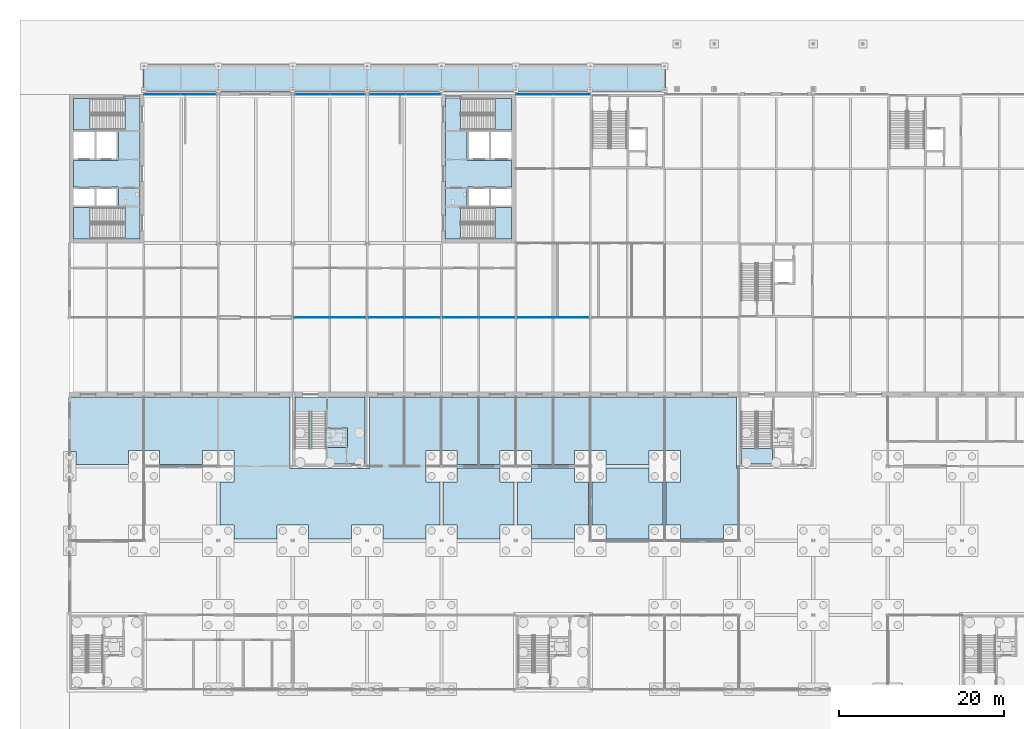
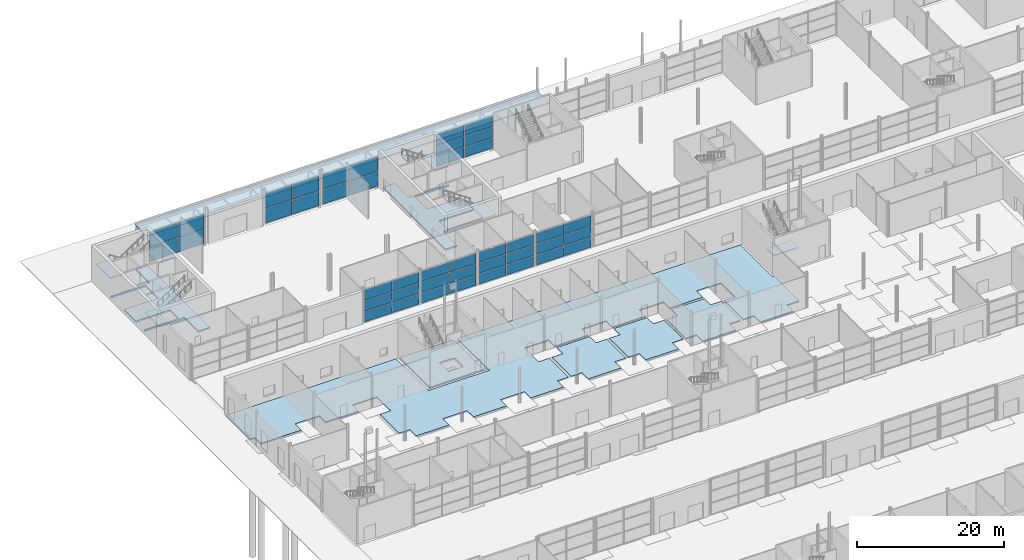
# One storey, part 56 of 97: 42 plates, 14 slabs, 13 elements without a shape of their own.
"""IFC4 building model written with IfcOpenShell, lengths in metres."""

from ifc_helpers import new_model, si_unit, direction, frame, origin, origin_2d, place, context, subcontext, project, spatial, polyline, rectangle, outline, extrude, material, layer, layer_set, type_object, element, aggregate, save


model = new_model("IFC4")

# Units and contexts
model_context = context("Model", 3, precision=1e-05, world=origin(), true_north=direction((0.0, 1.0)))
body_context = subcontext(model_context, "Body", "Model", "MODEL_VIEW")
ifc_project = project(units=[si_unit("LENGTHUNIT", "METRE"), si_unit("AREAUNIT", "SQUARE_METRE"), si_unit("VOLUMEUNIT", "CUBIC_METRE"), si_unit("PLANEANGLEUNIT", "RADIAN"), si_unit("MASSUNIT", "GRAM", prefix="KILO")], contexts=[model_context])

# Site, building, storey
site_placement = place(None, origin())
site = spatial("IfcSite", under=ifc_project, at=site_placement, CompositionType="ELEMENT")
building_placement = place(site_placement, origin())
building = spatial("IfcBuilding", under=site, at=building_placement, Name="Corbel Yard City Hall", CompositionType="ELEMENT")
storey_placement = place(building_placement, origin())
storey = spatial("IfcBuildingStorey", under=building, at=storey_placement, Name="L00", CompositionType="ELEMENT", Elevation=0.0)

# Slabs
ifc_material_1 = material(Name="Concrete N40 (40 MPa)", Category="concrete")
ifc_layer_1 = layer(ifc_material_1, 0.14990234375)
ifc_layer_set_1 = layer_set([ifc_layer_1], Name="Concrete N40 (40 MPa)")
slab_type_1 = type_object("IfcSlabType", Name="Awning Roof Slab", PredefinedType="ROOF", material=ifc_layer_set_1)
slab_1_placement = place(storey_placement, frame((8.89990234375, 117.300048828125, 4.219970703125), z_axis=(0.0, 0.012501797186, 0.99992184948), x_axis=(1.0, 0.0, 0.0)))
element("IfcSlab", 1, at=slab_1_placement, inside=storey, type_object=slab_type_1, Name="Awning Roof Slab", PredefinedType="ROOF", context=body_context, shape_type="SweptSolid", body=[
    extrude(outline(polyline([(0.0, 0.0), (63.2001953125, 0.0), (63.2001953125, 3.3003067488142093), (0.0, 3.3003067488142093), (0.0, 0.0)])), origin(), (0.0, 0.0, -1.0), 0.14990234375),
])
ifc_layer_2 = layer(ifc_material_1, 0.25)
ifc_layer_set_2 = layer_set([ifc_layer_2], Name="Concrete N40 (40 MPa)")
slab_type_2 = type_object("IfcSlabType", Name="CF1", PredefinedType="FLOOR", material=ifc_layer_set_2)
slab_2_placement = place(storey_placement, frame((0.0, 0.0, -0.25)))
element("IfcSlab", 2, at=slab_2_placement, inside=storey, type_object=slab_type_2, Name="Core floor slab", PredefinedType="FLOOR", context=body_context, shape_type="SweptSolid", body=[
    extrude(outline(polyline([(27.25, 72.25), (35.75, 72.25), (35.75, 80.39990234375), (27.25, 80.39990234375), (27.25, 72.25)]), holes=[polyline([(33.64990234375, 76.64990234375), (31.300048828125, 76.64990234375), (31.300048828125, 74.25), (33.64990234375, 74.25), (33.64990234375, 76.64990234375)])]), origin(), (0.0, 0.0, 1.0), 0.25),
])
slab_3_placement = place(storey_placement, frame((0.0, 0.0, -0.25)))
element("IfcSlab", 3, at=slab_3_placement, inside=storey, type_object=slab_type_2, Name="Core floor slab", PredefinedType="FLOOR", context=body_context, shape_type="SweptSolid", body=[
    extrude(outline(polyline([(8.5, 116.5), (6.698974609375, 116.5), (6.698974609375, 112.699951171875), (0.5, 112.699951171875), (0.5, 112.449951171875), (5.89990234375, 112.449951171875), (5.89990234375, 109.0), (0.5, 109.0), (0.5, 105.800048828125), (5.89990234375, 105.800048828125), (5.89990234375, 103.550048828125), (0.5, 103.550048828125), (0.5, 103.300048828125), (6.698974609375, 103.300048828125), (6.698974609375, 99.5), (8.5, 99.5), (8.5, 116.5)])), origin(), (0.0, 0.0, 1.0), 0.25),
])
slab_4_placement = place(storey_placement, frame((0.0, 0.0, -0.25)))
element("IfcSlab", 4, at=slab_4_placement, inside=storey, type_object=slab_type_2, Name="Core floor slab", PredefinedType="FLOOR", context=body_context, shape_type="SweptSolid", body=[
    extrude(outline(polyline([(53.5, 103.300048828125), (53.5, 103.550048828125), (48.10009765625, 103.550048828125), (48.10009765625, 105.800048828125), (53.5, 105.800048828125), (53.5, 109.0), (48.10009765625, 109.0), (48.10009765625, 112.449951171875), (53.5, 112.449951171875), (53.5, 112.699951171875), (47.301025390625, 112.699951171875), (47.301025390625, 116.5), (45.5, 116.5), (45.5, 99.5), (47.301025390625, 99.5), (47.301025390625, 103.300048828125), (53.5, 103.300048828125)])), origin(), (0.0, 0.0, 1.0), 0.25),
])
ifc_layer_3 = layer(ifc_material_1, 0.300048828125)
ifc_layer_set_3 = layer_set([ifc_layer_3], Name="Concrete N40 (40 MPa)")
slab_type_3 = type_object("IfcSlabType", Name="CF2", PredefinedType="BASESLAB", material=ifc_layer_set_3)
slab_5_placement = place(storey_placement, frame((0.0, 0.0, -1.699951171875)))
element("IfcSlab", 5, at=slab_5_placement, inside=storey, type_object=slab_type_3, Name="Lift LP13 pit slab", PredefinedType="BASESLAB", context=body_context, shape_type="SweptSolid", body=[
    extrude(outline(polyline([(31.050048828125, 74.25), (33.64990234375, 74.25), (33.64990234375, 76.64990234375), (31.050048828125, 76.64990234375), (31.050048828125, 74.25)])), origin(), (0.0, 0.0, 1.0), 0.300048828125),
])
ifc_layer_4 = layer(ifc_material_1, 0.199951171875)
ifc_layer_set_4 = layer_set([ifc_layer_4], Name="Concrete N40 (40 MPa)")
slab_type_4 = type_object("IfcSlabType", Name="Ground slab 200", PredefinedType="BASESLAB", material=ifc_layer_set_4)
slab_6_placement = place(storey_placement, frame((0.0, 0.0, -0.199951171875)))
element("IfcSlab", 6, at=slab_6_placement, inside=storey, type_object=slab_type_4, Name="Ground slab on grade Citizens' Service Centre block", PredefinedType="BASESLAB", context=body_context, shape_type="SweptSolid", body=[
    extrude(outline(polyline([(79.10009765625, 64.89990234375), (81.0, 64.89990234375), (81.0, 71.699951171875), (80.699951171875, 71.699951171875), (80.699951171875, 80.39990234375), (36.300048828125, 80.39990234375), (36.300048828125, 71.699951171875), (26.699951171875, 71.699951171875), (26.699951171875, 80.39990234375), (0.0, 80.39990234375), (0.0, 73.800048828125), (0.75, 73.800048828125), (0.75, 72.199951171875), (7.10009765625, 72.199951171875), (7.10009765625, 73.89990234375), (10.89990234375, 73.89990234375), (10.89990234375, 72.199951171875), (16.10009765625, 72.199951171875), (16.10009765625, 73.89990234375), (19.89990234375, 73.89990234375), (19.89990234375, 70.10009765625), (18.199951171875, 70.10009765625), (18.199951171875, 64.89990234375), (19.89990234375, 64.89990234375), (19.89990234375, 63.199951171875), (25.10009765625, 63.199951171875), (25.10009765625, 64.89990234375), (28.89990234375, 64.89990234375), (28.89990234375, 63.199951171875), (34.10009765625, 63.199951171875), (34.10009765625, 64.89990234375), (37.89990234375, 64.89990234375), (37.89990234375, 63.199951171875), (43.10009765625, 63.199951171875), (43.10009765625, 64.89990234375), (44.800048828125, 64.89990234375), (44.800048828125, 70.10009765625), (43.10009765625, 70.10009765625), (43.10009765625, 73.89990234375), (46.89990234375, 73.89990234375), (46.89990234375, 72.199951171875), (52.10009765625, 72.199951171875), (52.10009765625, 73.89990234375), (55.89990234375, 73.89990234375), (55.89990234375, 72.199951171875), (61.10009765625, 72.199951171875), (61.10009765625, 73.89990234375), (64.89990234375, 73.89990234375), (64.89990234375, 72.199951171875), (70.10009765625, 72.199951171875), (70.10009765625, 73.89990234375), (73.89990234375, 73.89990234375), (73.89990234375, 70.10009765625), (72.199951171875, 70.10009765625), (72.199951171875, 64.89990234375), (73.89990234375, 64.89990234375), (73.89990234375, 63.199951171875), (79.10009765625, 63.199951171875), (79.10009765625, 64.89990234375)])), origin(), (0.0, 0.0, 1.0), 0.199951171875),
])
slab_7_placement = place(storey_placement, frame((0.0, 0.0, -0.199951171875)))
element("IfcSlab", 7, at=slab_7_placement, inside=storey, type_object=slab_type_4, Name="Ground slab on grade Citizens' Service Centre block", PredefinedType="BASESLAB", context=body_context, shape_type="SweptSolid", body=[
    extrude(outline(polyline([(46.89990234375, 70.10009765625), (45.199951171875, 70.10009765625), (45.199951171875, 64.89990234375), (46.89990234375, 64.89990234375), (46.89990234375, 63.199951171875), (52.10009765625, 63.199951171875), (52.10009765625, 64.89990234375), (53.800048828125, 64.89990234375), (53.800048828125, 70.10009765625), (52.10009765625, 70.10009765625), (52.10009765625, 71.800048828125), (46.89990234375, 71.800048828125), (46.89990234375, 70.10009765625)])), origin(), (0.0, 0.0, 1.0), 0.199951171875),
])
slab_8_placement = place(storey_placement, frame((0.0, 0.0, -0.199951171875)))
element("IfcSlab", 8, at=slab_8_placement, inside=storey, type_object=slab_type_4, Name="Ground slab on grade Citizens' Service Centre block", PredefinedType="BASESLAB", context=body_context, shape_type="SweptSolid", body=[
    extrude(outline(polyline([(62.800048828125, 64.89990234375), (62.800048828125, 70.10009765625), (61.10009765625, 70.10009765625), (61.10009765625, 71.800048828125), (55.89990234375, 71.800048828125), (55.89990234375, 70.10009765625), (54.199951171875, 70.10009765625), (54.199951171875, 64.89990234375), (55.89990234375, 64.89990234375), (55.89990234375, 63.199951171875), (61.10009765625, 63.199951171875), (61.10009765625, 64.89990234375), (62.800048828125, 64.89990234375)])), origin(), (0.0, 0.0, 1.0), 0.199951171875),
])
slab_9_placement = place(storey_placement, frame((0.0, 0.0, -0.199951171875)))
element("IfcSlab", 9, at=slab_9_placement, inside=storey, type_object=slab_type_4, Name="Ground slab on grade Citizens' Service Centre block", PredefinedType="BASESLAB", context=body_context, shape_type="SweptSolid", body=[
    extrude(outline(polyline([(64.89990234375, 71.800048828125), (64.89990234375, 70.10009765625), (63.199951171875, 70.10009765625), (63.199951171875, 64.89990234375), (64.89990234375, 64.89990234375), (64.89990234375, 63.199951171875), (70.10009765625, 63.199951171875), (70.10009765625, 64.89990234375), (71.800048828125, 64.89990234375), (71.800048828125, 70.10009765625), (70.10009765625, 70.10009765625), (70.10009765625, 71.800048828125), (64.89990234375, 71.800048828125)])), origin(), (0.0, 0.0, 1.0), 0.199951171875),
])

# Stair, slab
stair_type_1 = type_object("IfcStairType", Name="ST2", PredefinedType="HALF_TURN_STAIR", material=ifc_material_1)
stair_1_placement = place(storey_placement, origin())
stair_1 = element("IfcStair", 10, at=stair_1_placement, inside=storey, type_object=stair_type_1, Name="Exit stair L00", PredefinedType="HALF_TURN_STAIR")
ifc_layer_5 = layer(ifc_material_1, 0.199951171875)
ifc_layer_set_5 = layer_set([ifc_layer_5], Name="Concrete N40 (40 MPa)")
slab_type_5 = type_object("IfcSlabType", Name="LN1", PredefinedType="LANDING", material=ifc_layer_set_5)
slab_10_placement = place(storey_placement, frame((0.0, 0.0, 2.800048828125)))
slab_10 = element("IfcSlab", 11, at=slab_10_placement, type_object=slab_type_5, Name="PS14 landing 1", PredefinedType="LANDING", context=body_context, shape_type="SweptSolid", body=[
    extrude(outline(polyline([(81.25, 72.25), (85.050048828125, 72.25), (85.050048828125, 74.1201171875), (81.25, 74.1201171875), (81.25, 72.25)])), origin(), (0.0, 0.0, 1.0), 0.199951171875),
])
aggregate(stair_1, [slab_10])

stair_type_2 = type_object("IfcStairType", Name="ST6", PredefinedType="HALF_TURN_STAIR", material=ifc_material_1)
stair_2_placement = place(storey_placement, origin())
stair_2 = element("IfcStair", 12, at=stair_2_placement, inside=storey, type_object=stair_type_2, Name="Exit stair ST-W1 L00", PredefinedType="HALF_TURN_STAIR")
slab_11_placement = place(storey_placement, frame((0.0, 0.0, 2.800048828125)))
slab_11 = element("IfcSlab", 13, at=slab_11_placement, type_object=slab_type_5, Name="ST-W1 landing 1", PredefinedType="LANDING", context=body_context, shape_type="SweptSolid", body=[
    extrude(outline(polyline([(0.5, 99.5), (2.5, 99.5), (2.5, 103.300048828125), (0.5, 103.300048828125), (0.5, 99.5)])), origin(), (0.0, 0.0, 1.0), 0.199951171875),
])
aggregate(stair_2, [slab_11])

stair_3_placement = place(storey_placement, origin())
stair_3 = element("IfcStair", 14, at=stair_3_placement, inside=storey, type_object=stair_type_2, Name="Exit stair ST-W2 L00", PredefinedType="HALF_TURN_STAIR")
slab_12_placement = place(storey_placement, frame((0.0, 0.0, 2.800048828125)))
slab_12 = element("IfcSlab", 15, at=slab_12_placement, type_object=slab_type_5, Name="ST-W2 landing 1", PredefinedType="LANDING", context=body_context, shape_type="SweptSolid", body=[
    extrude(outline(polyline([(0.5, 112.699951171875), (2.5, 112.699951171875), (2.5, 116.5), (0.5, 116.5), (0.5, 112.699951171875)])), origin(), (0.0, 0.0, 1.0), 0.199951171875),
])
aggregate(stair_3, [slab_12])

stair_4_placement = place(storey_placement, origin())
stair_4 = element("IfcStair", 16, at=stair_4_placement, inside=storey, type_object=stair_type_2, Name="Exit stair ST-E1 L00", PredefinedType="HALF_TURN_STAIR")
slab_13_placement = place(storey_placement, frame((0.0, 0.0, 2.800048828125)))
slab_13 = element("IfcSlab", 17, at=slab_13_placement, type_object=slab_type_5, Name="ST-E1 landing 1", PredefinedType="LANDING", context=body_context, shape_type="SweptSolid", body=[
    extrude(outline(polyline([(51.5, 99.5), (53.5, 99.5), (53.5, 103.300048828125), (51.5, 103.300048828125), (51.5, 99.5)])), origin(), (0.0, 0.0, 1.0), 0.199951171875),
])
aggregate(stair_4, [slab_13])

stair_5_placement = place(storey_placement, origin())
stair_5 = element("IfcStair", 18, at=stair_5_placement, inside=storey, type_object=stair_type_2, Name="Exit stair ST-E2 L00", PredefinedType="HALF_TURN_STAIR")
slab_14_placement = place(storey_placement, frame((0.0, 0.0, 2.800048828125)))
slab_14 = element("IfcSlab", 19, at=slab_14_placement, type_object=slab_type_5, Name="ST-E2 landing 1", PredefinedType="LANDING", context=body_context, shape_type="SweptSolid", body=[
    extrude(outline(polyline([(51.5, 112.699951171875), (53.5, 112.699951171875), (53.5, 116.5), (51.5, 116.5), (51.5, 112.699951171875)])), origin(), (0.0, 0.0, 1.0), 0.199951171875),
])
aggregate(stair_5, [slab_14])

# Curtain wall, plates
ifc_material_2 = material(Name="Aluminium extrusion", Category="aluminium")
ifc_layer_6 = layer(ifc_material_2, 0.25)
ifc_layer_set_6 = layer_set([ifc_layer_6], Name="Aluminium extrusion")
curtain_wall_type = type_object("IfcCurtainWallType", Name="CW4", PredefinedType="USERDEFINED", material=ifc_layer_set_6)
curtain_wall_1_placement = place(storey_placement, origin())
curtain_wall_1 = element("IfcCurtainWall", 20, at=curtain_wall_1_placement, inside=storey, type_object=curtain_wall_type, Name="Curtain wall CW4 L00", ObjectType="CURTAIN WALL", PredefinedType="USERDEFINED")
ifc_material_3 = material(Name="Laminated toughened storefront glass", Category="glass")
ifc_layer_7 = layer(ifc_material_3, 0.0400390625)
ifc_layer_set_7 = layer_set([ifc_layer_7], Name="Laminated toughened storefront glass")
plate_type = type_object("IfcPlateType", Name="PN5", PredefinedType="CURTAIN_PANEL", material=ifc_layer_set_7)
plate_1_placement = place(storey_placement, frame((29.344970703125, 90.0, 0.06494140625), z_axis=(0.0, 0.0, 1.0), x_axis=(1.0, 0.0, 0.0)))
plate_1 = element("IfcPlate", 21, at=plate_1_placement, type_object=plate_type, Name="CW4 panel 1.1", PredefinedType="CURTAIN_PANEL", context=body_context, shape_type="SweptSolid", body=[
    extrude(rectangle(XDim=4.2451171875, YDim=0.0400390625, at=origin_2d()), origin(), (0.0, 0.0, 1.0), 1.71728515625),
])
plate_2_placement = place(storey_placement, frame((29.344970703125, 90.0, 1.84716796875), z_axis=(0.0, 0.0, 1.0), x_axis=(1.0, 0.0, 0.0)))
plate_2 = element("IfcPlate", 22, at=plate_2_placement, type_object=plate_type, Name="CW4 panel 1.2", PredefinedType="CURTAIN_PANEL", context=body_context, shape_type="SweptSolid", body=[
    extrude(rectangle(XDim=4.2451171875, YDim=0.0400390625, at=origin_2d()), origin(), (0.0, 0.0, 1.0), 1.749755859375),
])
plate_3_placement = place(storey_placement, frame((29.344970703125, 90.0, 3.661865234375), z_axis=(0.0, 0.0, 1.0), x_axis=(1.0, 0.0, 0.0)))
plate_3 = element("IfcPlate", 23, at=plate_3_placement, type_object=plate_type, Name="CW4 panel 1.3", PredefinedType="CURTAIN_PANEL", context=body_context, shape_type="SweptSolid", body=[
    extrude(rectangle(XDim=4.2451171875, YDim=0.0400390625, at=origin_2d()), origin(), (0.0, 0.0, 1.0), 1.71728515625),
])
plate_4_placement = place(storey_placement, frame((33.655029296875, 90.0, 0.06494140625), z_axis=(0.0, 0.0, 1.0), x_axis=(1.0, 0.0, 0.0)))
plate_4 = element("IfcPlate", 24, at=plate_4_placement, type_object=plate_type, Name="CW4 panel 2.1", PredefinedType="CURTAIN_PANEL", context=body_context, shape_type="SweptSolid", body=[
    extrude(rectangle(XDim=4.2451171875, YDim=0.0400390625, at=origin_2d()), origin(), (0.0, 0.0, 1.0), 1.71728515625),
])
plate_5_placement = place(storey_placement, frame((33.655029296875, 90.0, 1.84716796875), z_axis=(0.0, 0.0, 1.0), x_axis=(1.0, 0.0, 0.0)))
plate_5 = element("IfcPlate", 25, at=plate_5_placement, type_object=plate_type, Name="CW4 panel 2.2", PredefinedType="CURTAIN_PANEL", context=body_context, shape_type="SweptSolid", body=[
    extrude(rectangle(XDim=4.2451171875, YDim=0.0400390625, at=origin_2d()), origin(), (0.0, 0.0, 1.0), 1.749755859375),
])
plate_6_placement = place(storey_placement, frame((33.655029296875, 90.0, 3.661865234375), z_axis=(0.0, 0.0, 1.0), x_axis=(1.0, 0.0, 0.0)))
plate_6 = element("IfcPlate", 26, at=plate_6_placement, type_object=plate_type, Name="CW4 panel 2.3", PredefinedType="CURTAIN_PANEL", context=body_context, shape_type="SweptSolid", body=[
    extrude(rectangle(XDim=4.2451171875, YDim=0.0400390625, at=origin_2d()), origin(), (0.0, 0.0, 1.0), 1.71728515625),
])
aggregate(curtain_wall_1, [plate_1, plate_2, plate_3, plate_4, plate_5, plate_6])

curtain_wall_2_placement = place(storey_placement, origin())
curtain_wall_2 = element("IfcCurtainWall", 27, at=curtain_wall_2_placement, inside=storey, type_object=curtain_wall_type, Name="Curtain wall CW4 L00", ObjectType="CURTAIN WALL", PredefinedType="USERDEFINED")
plate_7_placement = place(storey_placement, frame((38.344970703125, 90.0, 0.06494140625), z_axis=(0.0, 0.0, 1.0), x_axis=(1.0, 0.0, 0.0)))
plate_7 = element("IfcPlate", 28, at=plate_7_placement, type_object=plate_type, Name="CW4 panel 1.1", PredefinedType="CURTAIN_PANEL", context=body_context, shape_type="SweptSolid", body=[
    extrude(rectangle(XDim=4.2451171875, YDim=0.0400390625, at=origin_2d()), origin(), (0.0, 0.0, 1.0), 1.71728515625),
])
plate_8_placement = place(storey_placement, frame((38.344970703125, 90.0, 1.84716796875), z_axis=(0.0, 0.0, 1.0), x_axis=(1.0, 0.0, 0.0)))
plate_8 = element("IfcPlate", 29, at=plate_8_placement, type_object=plate_type, Name="CW4 panel 1.2", PredefinedType="CURTAIN_PANEL", context=body_context, shape_type="SweptSolid", body=[
    extrude(rectangle(XDim=4.2451171875, YDim=0.0400390625, at=origin_2d()), origin(), (0.0, 0.0, 1.0), 1.749755859375),
])
plate_9_placement = place(storey_placement, frame((38.344970703125, 90.0, 3.661865234375), z_axis=(0.0, 0.0, 1.0), x_axis=(1.0, 0.0, 0.0)))
plate_9 = element("IfcPlate", 30, at=plate_9_placement, type_object=plate_type, Name="CW4 panel 1.3", PredefinedType="CURTAIN_PANEL", context=body_context, shape_type="SweptSolid", body=[
    extrude(rectangle(XDim=4.2451171875, YDim=0.0400390625, at=origin_2d()), origin(), (0.0, 0.0, 1.0), 1.71728515625),
])
plate_10_placement = place(storey_placement, frame((42.655029296875, 90.0, 0.06494140625), z_axis=(0.0, 0.0, 1.0), x_axis=(1.0, 0.0, 0.0)))
plate_10 = element("IfcPlate", 31, at=plate_10_placement, type_object=plate_type, Name="CW4 panel 2.1", PredefinedType="CURTAIN_PANEL", context=body_context, shape_type="SweptSolid", body=[
    extrude(rectangle(XDim=4.2451171875, YDim=0.0400390625, at=origin_2d()), origin(), (0.0, 0.0, 1.0), 1.71728515625),
])
plate_11_placement = place(storey_placement, frame((42.655029296875, 90.0, 1.84716796875), z_axis=(0.0, 0.0, 1.0), x_axis=(1.0, 0.0, 0.0)))
plate_11 = element("IfcPlate", 32, at=plate_11_placement, type_object=plate_type, Name="CW4 panel 2.2", PredefinedType="CURTAIN_PANEL", context=body_context, shape_type="SweptSolid", body=[
    extrude(rectangle(XDim=4.2451171875, YDim=0.0400390625, at=origin_2d()), origin(), (0.0, 0.0, 1.0), 1.749755859375),
])
plate_12_placement = place(storey_placement, frame((42.655029296875, 90.0, 3.661865234375), z_axis=(0.0, 0.0, 1.0), x_axis=(1.0, 0.0, 0.0)))
plate_12 = element("IfcPlate", 33, at=plate_12_placement, type_object=plate_type, Name="CW4 panel 2.3", PredefinedType="CURTAIN_PANEL", context=body_context, shape_type="SweptSolid", body=[
    extrude(rectangle(XDim=4.2451171875, YDim=0.0400390625, at=origin_2d()), origin(), (0.0, 0.0, 1.0), 1.71728515625),
])
aggregate(curtain_wall_2, [plate_7, plate_8, plate_9, plate_10, plate_11, plate_12])

curtain_wall_3_placement = place(storey_placement, origin())
curtain_wall_3 = element("IfcCurtainWall", 34, at=curtain_wall_3_placement, inside=storey, type_object=curtain_wall_type, Name="Curtain wall CW4 L00", ObjectType="CURTAIN WALL", PredefinedType="USERDEFINED")
plate_13_placement = place(storey_placement, frame((47.344970703125, 90.0, 0.06494140625), z_axis=(0.0, 0.0, 1.0), x_axis=(1.0, 0.0, 0.0)))
plate_13 = element("IfcPlate", 35, at=plate_13_placement, type_object=plate_type, Name="CW4 panel 1.1", PredefinedType="CURTAIN_PANEL", context=body_context, shape_type="SweptSolid", body=[
    extrude(rectangle(XDim=4.2451171875, YDim=0.0400390625, at=origin_2d()), origin(), (0.0, 0.0, 1.0), 1.71728515625),
])
plate_14_placement = place(storey_placement, frame((47.344970703125, 90.0, 1.84716796875), z_axis=(0.0, 0.0, 1.0), x_axis=(1.0, 0.0, 0.0)))
plate_14 = element("IfcPlate", 36, at=plate_14_placement, type_object=plate_type, Name="CW4 panel 1.2", PredefinedType="CURTAIN_PANEL", context=body_context, shape_type="SweptSolid", body=[
    extrude(rectangle(XDim=4.2451171875, YDim=0.0400390625, at=origin_2d()), origin(), (0.0, 0.0, 1.0), 1.749755859375),
])
plate_15_placement = place(storey_placement, frame((47.344970703125, 90.0, 3.661865234375), z_axis=(0.0, 0.0, 1.0), x_axis=(1.0, 0.0, 0.0)))
plate_15 = element("IfcPlate", 37, at=plate_15_placement, type_object=plate_type, Name="CW4 panel 1.3", PredefinedType="CURTAIN_PANEL", context=body_context, shape_type="SweptSolid", body=[
    extrude(rectangle(XDim=4.2451171875, YDim=0.0400390625, at=origin_2d()), origin(), (0.0, 0.0, 1.0), 1.71728515625),
])
plate_16_placement = place(storey_placement, frame((51.655029296875, 90.0, 0.06494140625), z_axis=(0.0, 0.0, 1.0), x_axis=(1.0, 0.0, 0.0)))
plate_16 = element("IfcPlate", 38, at=plate_16_placement, type_object=plate_type, Name="CW4 panel 2.1", PredefinedType="CURTAIN_PANEL", context=body_context, shape_type="SweptSolid", body=[
    extrude(rectangle(XDim=4.2451171875, YDim=0.0400390625, at=origin_2d()), origin(), (0.0, 0.0, 1.0), 1.71728515625),
])
plate_17_placement = place(storey_placement, frame((51.655029296875, 90.0, 1.84716796875), z_axis=(0.0, 0.0, 1.0), x_axis=(1.0, 0.0, 0.0)))
plate_17 = element("IfcPlate", 39, at=plate_17_placement, type_object=plate_type, Name="CW4 panel 2.2", PredefinedType="CURTAIN_PANEL", context=body_context, shape_type="SweptSolid", body=[
    extrude(rectangle(XDim=4.2451171875, YDim=0.0400390625, at=origin_2d()), origin(), (0.0, 0.0, 1.0), 1.749755859375),
])
plate_18_placement = place(storey_placement, frame((51.655029296875, 90.0, 3.661865234375), z_axis=(0.0, 0.0, 1.0), x_axis=(1.0, 0.0, 0.0)))
plate_18 = element("IfcPlate", 40, at=plate_18_placement, type_object=plate_type, Name="CW4 panel 2.3", PredefinedType="CURTAIN_PANEL", context=body_context, shape_type="SweptSolid", body=[
    extrude(rectangle(XDim=4.2451171875, YDim=0.0400390625, at=origin_2d()), origin(), (0.0, 0.0, 1.0), 1.71728515625),
])
aggregate(curtain_wall_3, [plate_13, plate_14, plate_15, plate_16, plate_17, plate_18])

curtain_wall_4_placement = place(storey_placement, origin())
curtain_wall_4 = element("IfcCurtainWall", 41, at=curtain_wall_4_placement, inside=storey, type_object=curtain_wall_type, Name="Curtain wall CW4 L00", ObjectType="CURTAIN WALL", PredefinedType="USERDEFINED")
plate_19_placement = place(storey_placement, frame((56.344970703125, 90.0, 0.06494140625), z_axis=(0.0, 0.0, 1.0), x_axis=(1.0, 0.0, 0.0)))
plate_19 = element("IfcPlate", 42, at=plate_19_placement, type_object=plate_type, Name="CW4 panel 1.1", PredefinedType="CURTAIN_PANEL", context=body_context, shape_type="SweptSolid", body=[
    extrude(rectangle(XDim=4.2451171875, YDim=0.0400390625, at=origin_2d()), origin(), (0.0, 0.0, 1.0), 1.71728515625),
])
plate_20_placement = place(storey_placement, frame((56.344970703125, 90.0, 1.84716796875), z_axis=(0.0, 0.0, 1.0), x_axis=(1.0, 0.0, 0.0)))
plate_20 = element("IfcPlate", 43, at=plate_20_placement, type_object=plate_type, Name="CW4 panel 1.2", PredefinedType="CURTAIN_PANEL", context=body_context, shape_type="SweptSolid", body=[
    extrude(rectangle(XDim=4.2451171875, YDim=0.0400390625, at=origin_2d()), origin(), (0.0, 0.0, 1.0), 1.749755859375),
])
plate_21_placement = place(storey_placement, frame((56.344970703125, 90.0, 3.661865234375), z_axis=(0.0, 0.0, 1.0), x_axis=(1.0, 0.0, 0.0)))
plate_21 = element("IfcPlate", 44, at=plate_21_placement, type_object=plate_type, Name="CW4 panel 1.3", PredefinedType="CURTAIN_PANEL", context=body_context, shape_type="SweptSolid", body=[
    extrude(rectangle(XDim=4.2451171875, YDim=0.0400390625, at=origin_2d()), origin(), (0.0, 0.0, 1.0), 1.71728515625),
])
plate_22_placement = place(storey_placement, frame((60.655029296875, 90.0, 0.06494140625), z_axis=(0.0, 0.0, 1.0), x_axis=(1.0, 0.0, 0.0)))
plate_22 = element("IfcPlate", 45, at=plate_22_placement, type_object=plate_type, Name="CW4 panel 2.1", PredefinedType="CURTAIN_PANEL", context=body_context, shape_type="SweptSolid", body=[
    extrude(rectangle(XDim=4.2451171875, YDim=0.0400390625, at=origin_2d()), origin(), (0.0, 0.0, 1.0), 1.71728515625),
])
plate_23_placement = place(storey_placement, frame((60.655029296875, 90.0, 1.84716796875), z_axis=(0.0, 0.0, 1.0), x_axis=(1.0, 0.0, 0.0)))
plate_23 = element("IfcPlate", 46, at=plate_23_placement, type_object=plate_type, Name="CW4 panel 2.2", PredefinedType="CURTAIN_PANEL", context=body_context, shape_type="SweptSolid", body=[
    extrude(rectangle(XDim=4.2451171875, YDim=0.0400390625, at=origin_2d()), origin(), (0.0, 0.0, 1.0), 1.749755859375),
])
plate_24_placement = place(storey_placement, frame((60.655029296875, 90.0, 3.661865234375), z_axis=(0.0, 0.0, 1.0), x_axis=(1.0, 0.0, 0.0)))
plate_24 = element("IfcPlate", 47, at=plate_24_placement, type_object=plate_type, Name="CW4 panel 2.3", PredefinedType="CURTAIN_PANEL", context=body_context, shape_type="SweptSolid", body=[
    extrude(rectangle(XDim=4.2451171875, YDim=0.0400390625, at=origin_2d()), origin(), (0.0, 0.0, 1.0), 1.71728515625),
])
aggregate(curtain_wall_4, [plate_19, plate_20, plate_21, plate_22, plate_23, plate_24])

curtain_wall_5_placement = place(storey_placement, origin())
curtain_wall_5 = element("IfcCurtainWall", 48, at=curtain_wall_5_placement, inside=storey, type_object=curtain_wall_type, Name="Curtain wall CW4 L00", ObjectType="CURTAIN WALL", PredefinedType="USERDEFINED")
plate_25_placement = place(storey_placement, frame((11.206298828125, 117.0, 0.06494140625), z_axis=(0.0, 0.0, 1.0), x_axis=(1.0, 0.0, 0.0)))
plate_25 = element("IfcPlate", 49, at=plate_25_placement, type_object=plate_type, Name="CW4 panel 1.1", PredefinedType="CURTAIN_PANEL", context=body_context, shape_type="SweptSolid", body=[
    extrude(rectangle(XDim=4.282470703125, YDim=0.0400390625, at=origin_2d()), origin(), (0.0, 0.0, 1.0), 2.422607421875),
])
plate_26_placement = place(storey_placement, frame((11.206298828125, 117.0, 2.55224609375), z_axis=(0.0, 0.0, 1.0), x_axis=(1.0, 0.0, 0.0)))
plate_26 = element("IfcPlate", 50, at=plate_26_placement, type_object=plate_type, Name="CW4 panel 1.2", PredefinedType="CURTAIN_PANEL", context=body_context, shape_type="SweptSolid", body=[
    extrude(rectangle(XDim=4.282470703125, YDim=0.0400390625, at=origin_2d()), origin(), (0.0, 0.0, 1.0), 2.422607421875),
])
plate_27_placement = place(storey_placement, frame((15.5537109375, 117.0, 0.06494140625), z_axis=(0.0, 0.0, 1.0), x_axis=(1.0, 0.0, 0.0)))
plate_27 = element("IfcPlate", 51, at=plate_27_placement, type_object=plate_type, Name="CW4 panel 2.1", PredefinedType="CURTAIN_PANEL", context=body_context, shape_type="SweptSolid", body=[
    extrude(rectangle(XDim=4.282470703125, YDim=0.0400390625, at=origin_2d()), origin(), (0.0, 0.0, 1.0), 2.422607421875),
])
plate_28_placement = place(storey_placement, frame((15.5537109375, 117.0, 2.55224609375), z_axis=(0.0, 0.0, 1.0), x_axis=(1.0, 0.0, 0.0)))
plate_28 = element("IfcPlate", 52, at=plate_28_placement, type_object=plate_type, Name="CW4 panel 2.2", PredefinedType="CURTAIN_PANEL", context=body_context, shape_type="SweptSolid", body=[
    extrude(rectangle(XDim=4.282470703125, YDim=0.0400390625, at=origin_2d()), origin(), (0.0, 0.0, 1.0), 2.422607421875),
])
aggregate(curtain_wall_5, [plate_25, plate_26, plate_27, plate_28])

curtain_wall_6_placement = place(storey_placement, origin())
curtain_wall_6 = element("IfcCurtainWall", 53, at=curtain_wall_6_placement, inside=storey, type_object=curtain_wall_type, Name="Curtain wall CW4 L00", ObjectType="CURTAIN WALL", PredefinedType="USERDEFINED")
plate_29_placement = place(storey_placement, frame((29.38623046875, 117.0, 0.06494140625), z_axis=(0.0, 0.0, 1.0), x_axis=(1.0, 0.0, 0.0)))
plate_29 = element("IfcPlate", 54, at=plate_29_placement, type_object=plate_type, Name="CW4 panel 1.1", PredefinedType="CURTAIN_PANEL", context=body_context, shape_type="SweptSolid", body=[
    extrude(rectangle(XDim=4.16259765625, YDim=0.0400390625, at=origin_2d()), origin(), (0.0, 0.0, 1.0), 2.422607421875),
])
plate_30_placement = place(storey_placement, frame((29.38623046875, 117.0, 2.55224609375), z_axis=(0.0, 0.0, 1.0), x_axis=(1.0, 0.0, 0.0)))
plate_30 = element("IfcPlate", 55, at=plate_30_placement, type_object=plate_type, Name="CW4 panel 1.2", PredefinedType="CURTAIN_PANEL", context=body_context, shape_type="SweptSolid", body=[
    extrude(rectangle(XDim=4.16259765625, YDim=0.0400390625, at=origin_2d()), origin(), (0.0, 0.0, 1.0), 2.422607421875),
])
plate_31_placement = place(storey_placement, frame((33.61376953125, 117.0, 0.06494140625), z_axis=(0.0, 0.0, 1.0), x_axis=(1.0, 0.0, 0.0)))
plate_31 = element("IfcPlate", 56, at=plate_31_placement, type_object=plate_type, Name="CW4 panel 2.1", PredefinedType="CURTAIN_PANEL", context=body_context, shape_type="SweptSolid", body=[
    extrude(rectangle(XDim=4.16259765625, YDim=0.0400390625, at=origin_2d()), origin(), (0.0, 0.0, 1.0), 2.422607421875),
])
plate_32_placement = place(storey_placement, frame((33.61376953125, 117.0, 2.55224609375), z_axis=(0.0, 0.0, 1.0), x_axis=(1.0, 0.0, 0.0)))
plate_32 = element("IfcPlate", 57, at=plate_32_placement, type_object=plate_type, Name="CW4 panel 2.2", PredefinedType="CURTAIN_PANEL", context=body_context, shape_type="SweptSolid", body=[
    extrude(rectangle(XDim=4.16259765625, YDim=0.0400390625, at=origin_2d()), origin(), (0.0, 0.0, 1.0), 2.422607421875),
])
aggregate(curtain_wall_6, [plate_29, plate_30, plate_31, plate_32])

curtain_wall_7_placement = place(storey_placement, origin())
curtain_wall_7 = element("IfcCurtainWall", 58, at=curtain_wall_7_placement, inside=storey, type_object=curtain_wall_type, Name="Curtain wall CW4 L00", ObjectType="CURTAIN WALL", PredefinedType="USERDEFINED")
plate_33_placement = place(storey_placement, frame((38.4462890625, 117.0, 0.06494140625), z_axis=(0.0, 0.0, 1.0), x_axis=(1.0, 0.0, 0.0)))
plate_33 = element("IfcPlate", 59, at=plate_33_placement, type_object=plate_type, Name="CW4 panel 1.1", PredefinedType="CURTAIN_PANEL", context=body_context, shape_type="SweptSolid", body=[
    extrude(rectangle(XDim=4.282470703125, YDim=0.0400390625, at=origin_2d()), origin(), (0.0, 0.0, 1.0), 2.422607421875),
])
plate_34_placement = place(storey_placement, frame((38.4462890625, 117.0, 2.55224609375), z_axis=(0.0, 0.0, 1.0), x_axis=(1.0, 0.0, 0.0)))
plate_34 = element("IfcPlate", 60, at=plate_34_placement, type_object=plate_type, Name="CW4 panel 1.2", PredefinedType="CURTAIN_PANEL", context=body_context, shape_type="SweptSolid", body=[
    extrude(rectangle(XDim=4.282470703125, YDim=0.0400390625, at=origin_2d()), origin(), (0.0, 0.0, 1.0), 2.422607421875),
])
plate_35_placement = place(storey_placement, frame((42.793701171875, 117.0, 0.06494140625), z_axis=(0.0, 0.0, 1.0), x_axis=(1.0, 0.0, 0.0)))
plate_35 = element("IfcPlate", 61, at=plate_35_placement, type_object=plate_type, Name="CW4 panel 2.1", PredefinedType="CURTAIN_PANEL", context=body_context, shape_type="SweptSolid", body=[
    extrude(rectangle(XDim=4.282470703125, YDim=0.0400390625, at=origin_2d()), origin(), (0.0, 0.0, 1.0), 2.422607421875),
])
plate_36_placement = place(storey_placement, frame((42.793701171875, 117.0, 2.55224609375), z_axis=(0.0, 0.0, 1.0), x_axis=(1.0, 0.0, 0.0)))
plate_36 = element("IfcPlate", 62, at=plate_36_placement, type_object=plate_type, Name="CW4 panel 2.2", PredefinedType="CURTAIN_PANEL", context=body_context, shape_type="SweptSolid", body=[
    extrude(rectangle(XDim=4.282470703125, YDim=0.0400390625, at=origin_2d()), origin(), (0.0, 0.0, 1.0), 2.422607421875),
])
aggregate(curtain_wall_7, [plate_33, plate_34, plate_35, plate_36])

curtain_wall_8_placement = place(storey_placement, origin())
curtain_wall_8 = element("IfcCurtainWall", 63, at=curtain_wall_8_placement, inside=storey, type_object=curtain_wall_type, Name="Curtain wall CW4 L00", ObjectType="CURTAIN WALL", PredefinedType="USERDEFINED")
plate_37_placement = place(storey_placement, frame((56.266357421875, 117.0, 0.06494140625), z_axis=(0.0, 0.0, 1.0), x_axis=(1.0, 0.0, 0.0)))
plate_37 = element("IfcPlate", 64, at=plate_37_placement, type_object=plate_type, Name="CW4 panel 1.1", PredefinedType="CURTAIN_PANEL", context=body_context, shape_type="SweptSolid", body=[
    extrude(rectangle(XDim=4.402587890625, YDim=0.0400390625, at=origin_2d()), origin(), (0.0, 0.0, 1.0), 1.71728515625),
])
plate_38_placement = place(storey_placement, frame((56.266357421875, 117.0, 1.84716796875), z_axis=(0.0, 0.0, 1.0), x_axis=(1.0, 0.0, 0.0)))
plate_38 = element("IfcPlate", 65, at=plate_38_placement, type_object=plate_type, Name="CW4 panel 1.2", PredefinedType="CURTAIN_PANEL", context=body_context, shape_type="SweptSolid", body=[
    extrude(rectangle(XDim=4.402587890625, YDim=0.0400390625, at=origin_2d()), origin(), (0.0, 0.0, 1.0), 1.749755859375),
])
plate_39_placement = place(storey_placement, frame((56.266357421875, 117.0, 3.661865234375), z_axis=(0.0, 0.0, 1.0), x_axis=(1.0, 0.0, 0.0)))
plate_39 = element("IfcPlate", 66, at=plate_39_placement, type_object=plate_type, Name="CW4 panel 1.3", PredefinedType="CURTAIN_PANEL", context=body_context, shape_type="SweptSolid", body=[
    extrude(rectangle(XDim=4.402587890625, YDim=0.0400390625, at=origin_2d()), origin(), (0.0, 0.0, 1.0), 1.71728515625),
])
plate_40_placement = place(storey_placement, frame((60.733642578125, 117.0, 0.06494140625), z_axis=(0.0, 0.0, 1.0), x_axis=(1.0, 0.0, 0.0)))
plate_40 = element("IfcPlate", 67, at=plate_40_placement, type_object=plate_type, Name="CW4 panel 2.1", PredefinedType="CURTAIN_PANEL", context=body_context, shape_type="SweptSolid", body=[
    extrude(rectangle(XDim=4.402587890625, YDim=0.0400390625, at=origin_2d()), origin(), (0.0, 0.0, 1.0), 1.71728515625),
])
plate_41_placement = place(storey_placement, frame((60.733642578125, 117.0, 1.84716796875), z_axis=(0.0, 0.0, 1.0), x_axis=(1.0, 0.0, 0.0)))
plate_41 = element("IfcPlate", 68, at=plate_41_placement, type_object=plate_type, Name="CW4 panel 2.2", PredefinedType="CURTAIN_PANEL", context=body_context, shape_type="SweptSolid", body=[
    extrude(rectangle(XDim=4.402587890625, YDim=0.0400390625, at=origin_2d()), origin(), (0.0, 0.0, 1.0), 1.749755859375),
])
plate_42_placement = place(storey_placement, frame((60.733642578125, 117.0, 3.661865234375), z_axis=(0.0, 0.0, 1.0), x_axis=(1.0, 0.0, 0.0)))
plate_42 = element("IfcPlate", 69, at=plate_42_placement, type_object=plate_type, Name="CW4 panel 2.3", PredefinedType="CURTAIN_PANEL", context=body_context, shape_type="SweptSolid", body=[
    extrude(rectangle(XDim=4.402587890625, YDim=0.0400390625, at=origin_2d()), origin(), (0.0, 0.0, 1.0), 1.71728515625),
])
aggregate(curtain_wall_8, [plate_37, plate_38, plate_39, plate_40, plate_41, plate_42])

save(model, "model.ifc")
